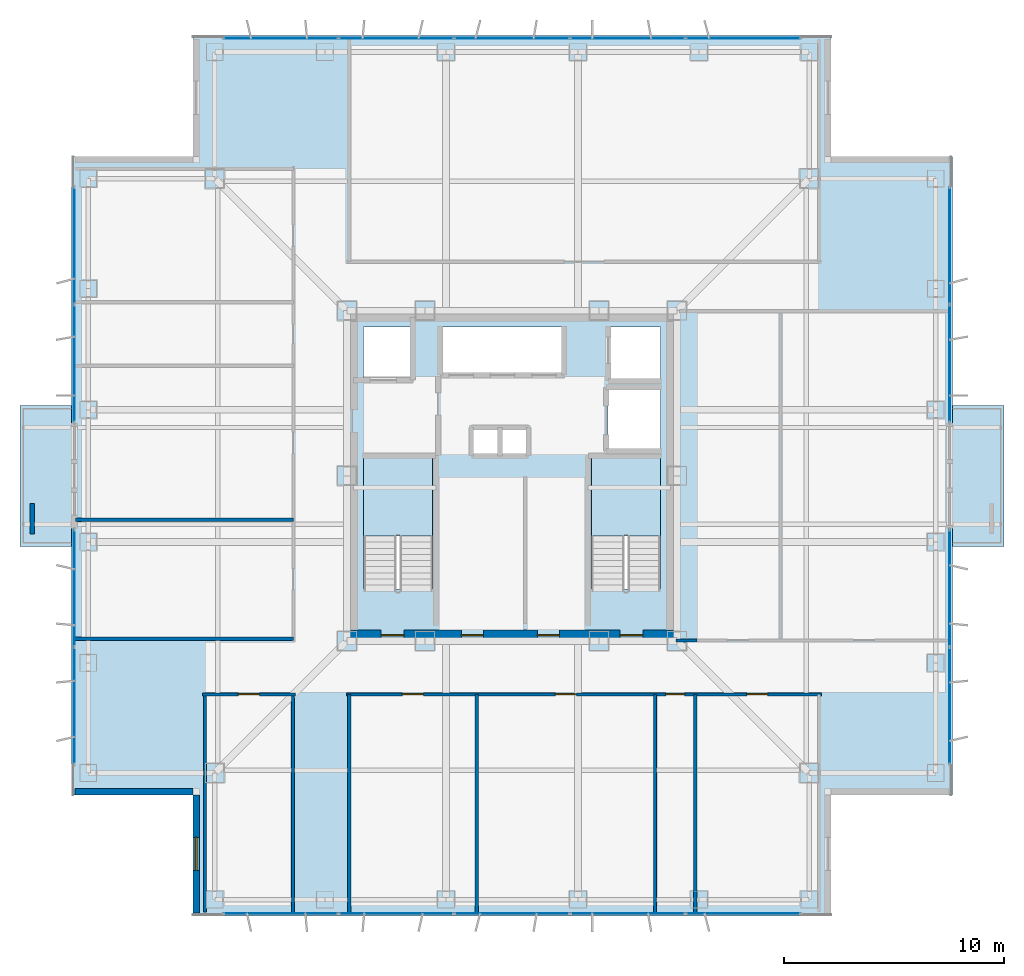
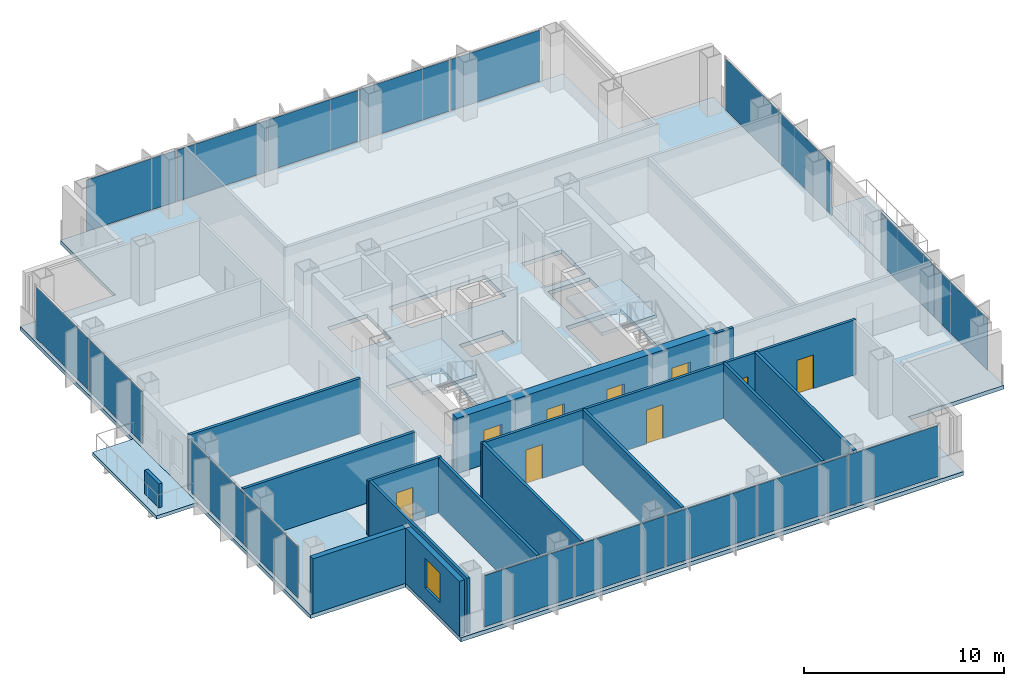
# One storey, part 10 of 15: 18 plates, 15 walls, 9 doors, 5 slabs, 1 window, 10 openings, 8 elements without a shape of their own.
"""IFC4 building model written with IfcOpenShell, lengths in metres."""

from ifc_helpers import new_model, si_unit, direction, frame, frame_2d, origin, origin_2d, place, context, subcontext, project, spatial, polyline, rectangle, outline, extrude, material, layer, layer_set, type_object, element, fill, aggregate, save


model = new_model("IFC4")

# Units and contexts
model_context = context("Model", 3, precision=1e-05, world=origin(), true_north=direction((0.0, 1.0)))
body_context = subcontext(model_context, "Body", "Model", "MODEL_VIEW")
ifc_project = project(units=[si_unit("LENGTHUNIT", "METRE"), si_unit("AREAUNIT", "SQUARE_METRE"), si_unit("VOLUMEUNIT", "CUBIC_METRE"), si_unit("PLANEANGLEUNIT", "RADIAN"), si_unit("MASSUNIT", "GRAM", prefix="KILO")], contexts=[model_context])

# Site, building, storey
site_placement = place(None, origin())
site = spatial("IfcSite", under=ifc_project, at=site_placement, CompositionType="ELEMENT")
building_placement = place(site_placement, origin())
building = spatial("IfcBuilding", under=site, at=building_placement, Name="Trevonay Congress Spire", CompositionType="ELEMENT")
storey_placement = place(building_placement, frame((0.0, 0.0, 216.60009765625)))
storey = spatial("IfcBuildingStorey", under=building, at=storey_placement, Name="L56", CompositionType="ELEMENT", Elevation=216.60009765625)

# Curtain wall, plates
ifc_material_1 = material(Name="Pale Anodised Aluminium EN AW-6063-T6", Category="aluminium")
ifc_layer_1 = layer(ifc_material_1, 0.169921875, Name="Pale Anodised Aluminium EN AW-6063-T6")
ifc_layer_set_1 = layer_set([ifc_layer_1], Name="Pale Anodised Aluminium EN AW-6063-T6")
curtain_wall_type = type_object("IfcCurtainWallType", Name="CW-SYS04-CORP-PALE-METAL", PredefinedType="NOTDEFINED", material=ifc_layer_set_1)
curtain_wall_1_placement = place(storey_placement, origin())
curtain_wall_1 = element("IfcCurtainWall", 1, at=curtain_wall_1_placement, inside=storey, type_object=curtain_wall_type, Name="L56 S unitised curtain wall", PredefinedType="NOTDEFINED")
ifc_material_2 = material(Name="Insulated Low-E Vision Glass IGU", Category="glass")
ifc_layer_2 = layer(ifc_material_2, 0.035888671875, Name="Insulated Low-E Vision Glass IGU")
ifc_layer_set_2 = layer_set([ifc_layer_2], Name="Insulated Low-E Vision Glass IGU")
plate_type = type_object("IfcPlateType", Name="CW-PANEL-IGU36-SILVER", PredefinedType="CURTAIN_PANEL", material=ifc_layer_set_2)
plate_1_placement = place(storey_placement, frame((-10.5048828125, -19.8798828125, 0.119873046875), z_axis=(0.0, 0.0, 1.0), x_axis=(1.0, 0.0, 0.0)))
plate_1 = element("IfcPlate", 2, at=plate_1_placement, type_object=plate_type, Name="CW04 panel 1.1", PredefinedType="CURTAIN_PANEL", context=body_context, shape_type="SweptSolid", body=[
    extrude(rectangle(XDim=5.169921875, YDim=0.035888671875, at=origin_2d()), origin(), (0.0, 0.0, 1.0), 3.1201171875),
])
plate_2_placement = place(storey_placement, frame((-5.260009765625, -19.8798828125, 0.119873046875), z_axis=(0.0, 0.0, 1.0), x_axis=(1.0, 0.0, 0.0)))
plate_2 = element("IfcPlate", 3, at=plate_2_placement, type_object=plate_type, Name="CW04 panel 2.1", PredefinedType="CURTAIN_PANEL", context=body_context, shape_type="SweptSolid", body=[
    extrude(rectangle(XDim=5.199951171875, YDim=0.035888671875, at=origin_2d()), origin(), (0.0, 0.0, 1.0), 3.1201171875),
])
plate_3_placement = place(storey_placement, frame((0.0, -19.8798828125, 0.119873046875), z_axis=(0.0, 0.0, 1.0), x_axis=(1.0, 0.0, 0.0)))
plate_3 = element("IfcPlate", 4, at=plate_3_placement, type_object=plate_type, Name="CW04 panel 3.1", PredefinedType="CURTAIN_PANEL", context=body_context, shape_type="SweptSolid", body=[
    extrude(rectangle(XDim=5.199951171875, YDim=0.035888671875, at=origin_2d()), origin(), (0.0, 0.0, 1.0), 3.1201171875),
])
plate_4_placement = place(storey_placement, frame((5.260009765625, -19.8798828125, 0.119873046875), z_axis=(0.0, 0.0, 1.0), x_axis=(1.0, 0.0, 0.0)))
plate_4 = element("IfcPlate", 5, at=plate_4_placement, type_object=plate_type, Name="CW04 panel 4.1", PredefinedType="CURTAIN_PANEL", context=body_context, shape_type="SweptSolid", body=[
    extrude(rectangle(XDim=5.199951171875, YDim=0.035888671875, at=origin_2d()), origin(), (0.0, 0.0, 1.0), 3.1201171875),
])
plate_5_placement = place(storey_placement, frame((10.5048828125, -19.8798828125, 0.119873046875), z_axis=(0.0, 0.0, 1.0), x_axis=(1.0, 0.0, 0.0)))
plate_5 = element("IfcPlate", 6, at=plate_5_placement, type_object=plate_type, Name="CW04 panel 5.1", PredefinedType="CURTAIN_PANEL", context=body_context, shape_type="SweptSolid", body=[
    extrude(rectangle(XDim=5.169921875, YDim=0.035888671875, at=origin_2d()), origin(), (0.0, 0.0, 1.0), 3.1201171875),
])
aggregate(curtain_wall_1, [plate_1, plate_2, plate_3, plate_4, plate_5])

curtain_wall_2_placement = place(storey_placement, origin())
curtain_wall_2 = element("IfcCurtainWall", 7, at=curtain_wall_2_placement, inside=storey, type_object=curtain_wall_type, Name="L56 N unitised curtain wall", PredefinedType="NOTDEFINED")
plate_6_placement = place(storey_placement, frame((-10.5048828125, 19.8798828125, 0.119873046875), z_axis=(0.0, 0.0, 1.0), x_axis=(1.0, 0.0, 0.0)))
plate_6 = element("IfcPlate", 8, at=plate_6_placement, type_object=plate_type, Name="CW04 panel 1.1", PredefinedType="CURTAIN_PANEL", context=body_context, shape_type="SweptSolid", body=[
    extrude(rectangle(XDim=5.169921875, YDim=0.035888671875, at=origin_2d()), origin(), (0.0, 0.0, 1.0), 3.1201171875),
])
plate_7_placement = place(storey_placement, frame((-5.260009765625, 19.8798828125, 0.119873046875), z_axis=(0.0, 0.0, 1.0), x_axis=(1.0, 0.0, 0.0)))
plate_7 = element("IfcPlate", 9, at=plate_7_placement, type_object=plate_type, Name="CW04 panel 2.1", PredefinedType="CURTAIN_PANEL", context=body_context, shape_type="SweptSolid", body=[
    extrude(rectangle(XDim=5.199951171875, YDim=0.035888671875, at=origin_2d()), origin(), (0.0, 0.0, 1.0), 3.1201171875),
])
plate_8_placement = place(storey_placement, frame((0.0, 19.8798828125, 0.119873046875), z_axis=(0.0, 0.0, 1.0), x_axis=(1.0, 0.0, 0.0)))
plate_8 = element("IfcPlate", 10, at=plate_8_placement, type_object=plate_type, Name="CW04 panel 3.1", PredefinedType="CURTAIN_PANEL", context=body_context, shape_type="SweptSolid", body=[
    extrude(rectangle(XDim=5.199951171875, YDim=0.035888671875, at=origin_2d()), origin(), (0.0, 0.0, 1.0), 3.1201171875),
])
plate_9_placement = place(storey_placement, frame((5.260009765625, 19.8798828125, 0.119873046875), z_axis=(0.0, 0.0, 1.0), x_axis=(1.0, 0.0, 0.0)))
plate_9 = element("IfcPlate", 11, at=plate_9_placement, type_object=plate_type, Name="CW04 panel 4.1", PredefinedType="CURTAIN_PANEL", context=body_context, shape_type="SweptSolid", body=[
    extrude(rectangle(XDim=5.199951171875, YDim=0.035888671875, at=origin_2d()), origin(), (0.0, 0.0, 1.0), 3.1201171875),
])
plate_10_placement = place(storey_placement, frame((10.5048828125, 19.8798828125, 0.119873046875), z_axis=(0.0, 0.0, 1.0), x_axis=(1.0, 0.0, 0.0)))
plate_10 = element("IfcPlate", 12, at=plate_10_placement, type_object=plate_type, Name="CW04 panel 5.1", PredefinedType="CURTAIN_PANEL", context=body_context, shape_type="SweptSolid", body=[
    extrude(rectangle(XDim=5.169921875, YDim=0.035888671875, at=origin_2d()), origin(), (0.0, 0.0, 1.0), 3.1201171875),
])
aggregate(curtain_wall_2, [plate_6, plate_7, plate_8, plate_9, plate_10])

curtain_wall_3_placement = place(storey_placement, origin())
curtain_wall_3 = element("IfcCurtainWall", 13, at=curtain_wall_3_placement, inside=storey, type_object=curtain_wall_type, Name="L56 WA unitised curtain wall", PredefinedType="NOTDEFINED")
plate_11_placement = place(storey_placement, frame((-19.8798828125, -10.447509765625, 0.119873046875), z_axis=(0.0, 0.0, 1.0), x_axis=(0.0, 1.0, 0.0)))
plate_11 = element("IfcPlate", 14, at=plate_11_placement, type_object=plate_type, Name="CW04 panel 1.1", PredefinedType="CURTAIN_PANEL", context=body_context, shape_type="SweptSolid", body=[
    extrude(rectangle(XDim=5.284912109375, YDim=0.035888671875, at=origin_2d()), origin(), (0.0, 0.0, 1.0), 3.1201171875),
])
plate_12_placement = place(storey_placement, frame((-19.8798828125, -5.1025390625, 0.119873046875), z_axis=(0.0, 0.0, 1.0), x_axis=(0.0, 1.0, 0.0)))
plate_12 = element("IfcPlate", 15, at=plate_12_placement, type_object=plate_type, Name="CW04 panel 2.1", PredefinedType="CURTAIN_PANEL", context=body_context, shape_type="SweptSolid", body=[
    extrude(rectangle(XDim=5.284912109375, YDim=0.035888671875, at=origin_2d()), origin(), (0.0, 0.0, 1.0), 3.1201171875),
])
aggregate(curtain_wall_3, [plate_11, plate_12])

curtain_wall_4_placement = place(storey_placement, origin())
curtain_wall_4 = element("IfcCurtainWall", 16, at=curtain_wall_4_placement, inside=storey, type_object=curtain_wall_type, Name="L56 WB unitised curtain wall", PredefinedType="NOTDEFINED")
plate_13_placement = place(storey_placement, frame((-19.8798828125, 5.1025390625, 0.119873046875), z_axis=(0.0, 0.0, 1.0), x_axis=(0.0, 1.0, 0.0)))
plate_13 = element("IfcPlate", 17, at=plate_13_placement, type_object=plate_type, Name="CW04 panel 1.1", PredefinedType="CURTAIN_PANEL", context=body_context, shape_type="SweptSolid", body=[
    extrude(rectangle(XDim=5.284912109375, YDim=0.035888671875, at=origin_2d()), origin(), (0.0, 0.0, 1.0), 3.1201171875),
])
plate_14_placement = place(storey_placement, frame((-19.8798828125, 10.447509765625, 0.119873046875), z_axis=(0.0, 0.0, 1.0), x_axis=(0.0, 1.0, 0.0)))
plate_14 = element("IfcPlate", 18, at=plate_14_placement, type_object=plate_type, Name="CW04 panel 2.1", PredefinedType="CURTAIN_PANEL", context=body_context, shape_type="SweptSolid", body=[
    extrude(rectangle(XDim=5.284912109375, YDim=0.035888671875, at=origin_2d()), origin(), (0.0, 0.0, 1.0), 3.1201171875),
])
aggregate(curtain_wall_4, [plate_13, plate_14])

curtain_wall_5_placement = place(storey_placement, origin())
curtain_wall_5 = element("IfcCurtainWall", 19, at=curtain_wall_5_placement, inside=storey, type_object=curtain_wall_type, Name="L56 EA unitised curtain wall", PredefinedType="NOTDEFINED")
plate_15_placement = place(storey_placement, frame((19.8798828125, -10.447509765625, 0.119873046875), z_axis=(0.0, 0.0, 1.0), x_axis=(0.0, 1.0, 0.0)))
plate_15 = element("IfcPlate", 20, at=plate_15_placement, type_object=plate_type, Name="CW04 panel 1.1", PredefinedType="CURTAIN_PANEL", context=body_context, shape_type="SweptSolid", body=[
    extrude(rectangle(XDim=5.284912109375, YDim=0.035888671875, at=origin_2d()), origin(), (0.0, 0.0, 1.0), 3.1201171875),
])
plate_16_placement = place(storey_placement, frame((19.8798828125, -5.1025390625, 0.119873046875), z_axis=(0.0, 0.0, 1.0), x_axis=(0.0, 1.0, 0.0)))
plate_16 = element("IfcPlate", 21, at=plate_16_placement, type_object=plate_type, Name="CW04 panel 2.1", PredefinedType="CURTAIN_PANEL", context=body_context, shape_type="SweptSolid", body=[
    extrude(rectangle(XDim=5.284912109375, YDim=0.035888671875, at=origin_2d()), origin(), (0.0, 0.0, 1.0), 3.1201171875),
])
aggregate(curtain_wall_5, [plate_15, plate_16])

curtain_wall_6_placement = place(storey_placement, origin())
curtain_wall_6 = element("IfcCurtainWall", 22, at=curtain_wall_6_placement, inside=storey, type_object=curtain_wall_type, Name="L56 EB unitised curtain wall", PredefinedType="NOTDEFINED")
plate_17_placement = place(storey_placement, frame((19.8798828125, 5.1025390625, 0.119873046875), z_axis=(0.0, 0.0, 1.0), x_axis=(0.0, 1.0, 0.0)))
plate_17 = element("IfcPlate", 23, at=plate_17_placement, type_object=plate_type, Name="CW04 panel 1.1", PredefinedType="CURTAIN_PANEL", context=body_context, shape_type="SweptSolid", body=[
    extrude(rectangle(XDim=5.284912109375, YDim=0.035888671875, at=origin_2d()), origin(), (0.0, 0.0, 1.0), 3.1201171875),
])
plate_18_placement = place(storey_placement, frame((19.8798828125, 10.447509765625, 0.119873046875), z_axis=(0.0, 0.0, 1.0), x_axis=(0.0, 1.0, 0.0)))
plate_18 = element("IfcPlate", 24, at=plate_18_placement, type_object=plate_type, Name="CW04 panel 2.1", PredefinedType="CURTAIN_PANEL", context=body_context, shape_type="SweptSolid", body=[
    extrude(rectangle(XDim=5.284912109375, YDim=0.035888671875, at=origin_2d()), origin(), (0.0, 0.0, 1.0), 3.1201171875),
])
aggregate(curtain_wall_6, [plate_17, plate_18])

# Stair, slab
ifc_material_3 = material(Name="Concrete C40/50", Category="concrete")
stair_type_1 = type_object("IfcStairType", Name="STR-ST-1", PredefinedType="HALF_TURN_STAIR", material=ifc_material_3)
stair_1_placement = place(storey_placement, origin())
stair_1 = element("IfcStair", 25, at=stair_1_placement, inside=storey, type_object=stair_type_1, Name="L56 Protected Exit Stair ST-1", PredefinedType="HALF_TURN_STAIR")
ifc_layer_3 = layer(ifc_material_3, 0.199951171875, Name="Concrete C40/50")
ifc_layer_set_3 = layer_set([ifc_layer_3], Name="Concrete C40/50")
slab_type_1 = type_object("IfcSlabType", Name="SLB-STAIR-LAND-200", PredefinedType="LANDING", material=ifc_layer_set_3)
slab_1_placement = place(storey_placement, frame((0.0, 0.0, 1.599853515625)))
slab_1 = element("IfcSlab", 26, at=slab_1_placement, type_object=slab_type_1, Name="ST-1 landing 1", PredefinedType="LANDING", context=body_context, shape_type="SweptSolid", body=[
    extrude(outline(polyline([(-3.60009765625, -2.72998046875), (-3.60009765625, 0.85009765625), (-6.75, 0.85009765625), (-6.75, -2.72998046875), (-3.60009765625, -2.72998046875)])), origin(), (0.0, 0.0, 1.0), 0.199951171875),
])
aggregate(stair_1, [slab_1])

stair_type_2 = type_object("IfcStairType", Name="STR-ST-2", PredefinedType="HALF_TURN_STAIR", material=ifc_material_3)
stair_2_placement = place(storey_placement, origin())
stair_2 = element("IfcStair", 27, at=stair_2_placement, inside=storey, type_object=stair_type_2, Name="L56 Protected Exit Stair ST-2", PredefinedType="HALF_TURN_STAIR")
slab_2_placement = place(storey_placement, frame((0.0, 0.0, 1.599853515625)))
slab_2 = element("IfcSlab", 28, at=slab_2_placement, type_object=slab_type_1, Name="ST-2 landing 1", PredefinedType="LANDING", context=body_context, shape_type="SweptSolid", body=[
    extrude(outline(polyline([(6.75, -2.72998046875), (6.75, 0.85009765625), (3.60009765625, 0.85009765625), (3.60009765625, -2.72998046875), (6.75, -2.72998046875)])), origin(), (0.0, 0.0, 1.0), 0.199951171875),
])
aggregate(stair_2, [slab_2])

# Slabs
ifc_layer_4 = layer(ifc_material_3, 0.239990234375, Name="Concrete C40/50")
ifc_layer_set_4 = layer_set([ifc_layer_4], Name="Concrete C40/50")
slab_type_2 = type_object("IfcSlabType", Name="SLB-TOW2-240", PredefinedType="FLOOR", material=ifc_layer_set_4)
slab_3_placement = place(storey_placement, frame((0.0, 0.0, -0.239990234375)))
element("IfcSlab", 29, at=slab_3_placement, inside=storey, type_object=slab_type_2, Name="L56 structural floor slab", PredefinedType="FLOOR", context=body_context, shape_type="SweptSolid", body=[
    extrude(outline(polyline([(-14.5, -20.0), (14.5, -20.0), (14.5, -14.5), (20.0, -14.5), (20.0, 14.5), (14.5, 14.5), (14.5, 20.0), (-14.5, 20.0), (-14.5, 14.5), (-20.0, 14.5), (-20.0, -14.5), (-14.5, -14.5), (-14.5, -20.0)]), holes=[polyline([(-3.60009765625, -5.14990234375), (-3.60009765625, 0.85009765625), (-6.75, 0.85009765625), (-6.75, -5.14990234375), (-3.60009765625, -5.14990234375)]), polyline([(6.75, -5.14990234375), (6.75, 0.85009765625), (3.60009765625, 0.85009765625), (3.60009765625, -5.14990234375), (6.75, -5.14990234375)]), polyline([(-3.199951171875, 4.64990234375), (2.340087890625, 4.64990234375), (2.340087890625, 6.75), (-3.199951171875, 6.75), (-3.199951171875, 4.64990234375)]), polyline([(-6.75, 4.35009765625), (-4.449951171875, 4.35009765625), (-4.449951171875, 6.75), (-6.75, 6.75), (-6.75, 4.35009765625)]), polyline([(4.449951171875, 4.35009765625), (6.75, 4.35009765625), (6.75, 6.75), (4.449951171875, 6.75), (4.449951171875, 4.35009765625)]), polyline([(4.35009765625, 1.199951171875), (6.75, 1.199951171875), (6.75, 3.949951171875), (4.35009765625, 3.949951171875), (4.35009765625, 1.199951171875)]), polyline([(-1.800048828125, 0.949951171875), (0.699951171875, 0.949951171875), (0.699951171875, 2.14990234375), (-1.800048828125, 2.14990234375), (-1.800048828125, 0.949951171875)])]), origin(), (0.0, 0.0, 1.0), 0.239990234375),
])
ifc_layer_5 = layer(ifc_material_3, 0.2099609375, Name="Concrete C40/50")
ifc_layer_set_5 = layer_set([ifc_layer_5], Name="Concrete C40/50")
slab_type_3 = type_object("IfcSlabType", Name="SLB-TREEBAL-210", PredefinedType="FLOOR", material=ifc_layer_set_5)
slab_4_placement = place(storey_placement, frame((0.0, 0.0, -0.210205078125)))
element("IfcSlab", 30, at=slab_4_placement, inside=storey, type_object=slab_type_3, Name="L56 cantilevered tree-planter balcony pod E", PredefinedType="FLOOR", context=body_context, shape_type="SweptSolid", body=[
    extrude(outline(polyline([(20.0, -3.199951171875), (22.35009765625, -3.199951171875), (22.35009765625, 3.199951171875), (20.0, 3.199951171875), (20.0, -3.199951171875)])), origin(), (0.0, 0.0, 1.0), 0.210205078125),
])
slab_5_placement = place(storey_placement, frame((0.0, 0.0, -0.210205078125)))
element("IfcSlab", 31, at=slab_5_placement, inside=storey, type_object=slab_type_3, Name="L56 cantilevered tree-planter balcony pod W", PredefinedType="FLOOR", context=body_context, shape_type="SweptSolid", body=[
    extrude(outline(polyline([(-22.35009765625, -3.199951171875), (-20.0, -3.199951171875), (-20.0, 3.199951171875), (-22.35009765625, 3.199951171875), (-22.35009765625, -3.199951171875)])), origin(), (0.0, 0.0, 1.0), 0.210205078125),
])

# Wall, openings, doors
ifc_material_4 = material(Name="Concrete C50/60", Category="concrete")
ifc_layer_6 = layer(ifc_material_4, 0.5, Name="Concrete C50/60")
ifc_layer_set_6 = layer_set([ifc_layer_6], Name="Concrete C50/60")
wall_type_1 = type_object("IfcWallType", Name="WAL-CORE-500", PredefinedType="SHEAR", material=ifc_layer_set_6)
wall_1_placement = place(storey_placement, frame((-7.5, -7.25, 0.0), z_axis=(0.0, 0.0, 1.0), x_axis=(1.0, 0.0, 0.0)))
wall_1 = element("IfcWall", 32, at=wall_1_placement, inside=storey, type_object=wall_type_1, Name="L56 South structural core shear wall", PredefinedType="SHEAR", context=body_context, shape_type="SweptSolid", body=[
    extrude(rectangle(XDim=15.0, YDim=0.5, at=frame_2d((7.5, 0.0))), origin(), (0.0, 0.0, 1.0), 3.35986328125),
])
opening_1_placement = place(wall_1_placement, frame((1.550048828125, 0.0, 0.0)))
opening_1 = element("IfcOpeningElement", 33, at=opening_1_placement, cuts=wall_1, Name="Opening D05", PredefinedType="OPENING", context=body_context, shape_type="SweptSolid", body=[
    extrude(rectangle(XDim=1.050048828125, YDim=2.080078125, at=frame_2d((0.52490234375, 1.0400390625))), frame((0.0, 0.260009765625, 0.0), z_axis=(0.0, -1.0, 0.0), x_axis=(1.0, 0.0, 0.0)), (0.0, 0.0, 1.0), 0.52001953125),
])
opening_2_placement = place(wall_1_placement, frame((12.39990234375, 0.0, 0.0)))
opening_2 = element("IfcOpeningElement", 34, at=opening_2_placement, cuts=wall_1, Name="Opening D05", PredefinedType="OPENING", context=body_context, shape_type="SweptSolid", body=[
    extrude(rectangle(XDim=1.050048828125, YDim=2.080078125, at=frame_2d((0.52490234375, 1.0400390625))), frame((0.0, 0.260009765625, 0.0), z_axis=(0.0, -1.0, 0.0), x_axis=(1.0, 0.0, 0.0)), (0.0, 0.0, 1.0), 0.52001953125),
])
opening_3_placement = place(wall_1_placement, frame((5.199951171875, 0.0, 0.0)))
opening_3 = element("IfcOpeningElement", 35, at=opening_3_placement, cuts=wall_1, Name="Opening D06", PredefinedType="OPENING", context=body_context, shape_type="SweptSolid", body=[
    extrude(rectangle(XDim=1.0, YDim=2.080078125, at=frame_2d((0.5, 1.0400390625))), frame((0.0, 0.260009765625, 0.0), z_axis=(0.0, -1.0, 0.0), x_axis=(1.0, 0.0, 0.0)), (0.0, 0.0, 1.0), 0.52001953125),
])
opening_4_placement = place(wall_1_placement, frame((8.64990234375, 0.0, 0.0)))
opening_4 = element("IfcOpeningElement", 36, at=opening_4_placement, cuts=wall_1, Name="Opening D06", PredefinedType="OPENING", context=body_context, shape_type="SweptSolid", body=[
    extrude(rectangle(XDim=1.0, YDim=2.080078125, at=frame_2d((0.5, 1.0400390625))), frame((0.0, 0.260009765625, 0.0), z_axis=(0.0, -1.0, 0.0), x_axis=(1.0, 0.0, 0.0)), (0.0, 0.0, 1.0), 0.52001953125),
])
ifc_material_5 = material(Name="Steel ASTM A572 Grade 50", Category="steel")
door_type_1 = type_object("IfcDoorType", Name="DOR-FIRE-100", OperationType="NOTDEFINED", PredefinedType="DOOR", material=ifc_material_5)
door_1_placement = place(opening_3_placement, origin())
door_1 = element("IfcDoor", 37, at=door_1_placement, inside=storey, type_object=door_type_1, Name="L56 South Core Room 1 Door", OperationType="SINGLE_SWING_LEFT", OverallHeight=2.080078125, OverallWidth=1.0, PredefinedType="DOOR", context=body_context, shape_type="SweptSolid", body=[
    extrude(rectangle(XDim=1.0, YDim=2.080078125, at=frame_2d((0.5, 1.0400390625))), frame((0.0, 0.02490234375, 0.0), z_axis=(0.0, -1.0, 0.0), x_axis=(1.0, 0.0, 0.0)), (0.0, 0.0, 1.0), 0.050048828125),
])
fill(opening_3, door_1)
door_2_placement = place(opening_4_placement, origin())
door_2 = element("IfcDoor", 38, at=door_2_placement, inside=storey, type_object=door_type_1, Name="L56 South Core Room 2 Door", OperationType="SINGLE_SWING_RIGHT", OverallHeight=2.080078125, OverallWidth=1.0, PredefinedType="DOOR", context=body_context, shape_type="SweptSolid", body=[
    extrude(rectangle(XDim=1.0, YDim=2.080078125, at=frame_2d((0.5, 1.0400390625))), frame((0.0, 0.02490234375, 0.0), z_axis=(0.0, -1.0, 0.0), x_axis=(1.0, 0.0, 0.0)), (0.0, 0.0, 1.0), 0.050048828125),
])
fill(opening_4, door_2)
door_type_2 = type_object("IfcDoorType", Name="DOR-STAIR-110", OperationType="NOTDEFINED", PredefinedType="DOOR", material=ifc_material_5)
door_3_placement = place(opening_1_placement, origin())
door_3 = element("IfcDoor", 39, at=door_3_placement, inside=storey, type_object=door_type_2, Name="L56 Protected Stair ST-1 Door", OperationType="SINGLE_SWING_RIGHT", OverallHeight=2.080078125, OverallWidth=1.050048828125, PredefinedType="DOOR", context=body_context, shape_type="SweptSolid", body=[
    extrude(rectangle(XDim=1.050048828125, YDim=2.080078125, at=frame_2d((0.52490234375, 1.0400390625))), frame((0.0, 0.02490234375, 0.0), z_axis=(0.0, -1.0, 0.0), x_axis=(1.0, 0.0, 0.0)), (0.0, 0.0, 1.0), 0.050048828125),
])
fill(opening_1, door_3)
door_4_placement = place(opening_2_placement, origin())
door_4 = element("IfcDoor", 40, at=door_4_placement, inside=storey, type_object=door_type_2, Name="L56 Protected Stair ST-2 Door", OperationType="SINGLE_SWING_LEFT", OverallHeight=2.080078125, OverallWidth=1.050048828125, PredefinedType="DOOR", context=body_context, shape_type="SweptSolid", body=[
    extrude(rectangle(XDim=1.050048828125, YDim=2.080078125, at=frame_2d((0.52490234375, 1.0400390625))), frame((0.0, 0.02490234375, 0.0), z_axis=(0.0, -1.0, 0.0), x_axis=(1.0, 0.0, 0.0)), (0.0, 0.0, 1.0), 0.050048828125),
])
fill(opening_2, door_4)

# Wall, opening, door
ifc_layer_7 = layer(ifc_material_3, 0.14990234375, Name="Concrete C40/50")
ifc_layer_set_7 = layer_set([ifc_layer_7], Name="Concrete C40/50")
wall_type_2 = type_object("IfcWallType", Name="WAL-CORR-150", PredefinedType="PARTITIONING", material=ifc_layer_set_7)
wall_2_placement = place(storey_placement, frame((-14.070068359375, -9.929931640625, 0.0), z_axis=(0.0, 0.0, 1.0), x_axis=(1.0, 0.0, 0.0)))
wall_2 = element("IfcWall", 41, at=wall_2_placement, inside=storey, type_object=wall_type_2, Name="L56 interior wall WP-L56SW-COR", PredefinedType="PARTITIONING", context=body_context, shape_type="SweptSolid", body=[
    extrude(rectangle(XDim=4.239990234375, YDim=0.14990234375, at=frame_2d((2.1201171875, 0.0))), origin(), (0.0, 0.0, 1.0), 3.35986328125),
])
opening_5_placement = place(wall_2_placement, frame((1.64501953125, 0.0, 0.0)))
opening_5 = element("IfcOpeningElement", 42, at=opening_5_placement, cuts=wall_2, Name="Opening D07", PredefinedType="OPENING", context=body_context, shape_type="SweptSolid", body=[
    extrude(rectangle(XDim=0.949951171875, YDim=2.06005859375, at=frame_2d((0.47509765625, 1.030029296875))), frame((0.0, 0.0849609375, 0.0), z_axis=(0.0, -1.0, 0.0), x_axis=(1.0, 0.0, 0.0)), (0.0, 0.0, 1.0), 0.169921875),
])
door_type_3 = type_object("IfcDoorType", Name="DOR-OFFICE-95", OperationType="NOTDEFINED", PredefinedType="DOOR", material=ifc_material_1)
door_5_placement = place(opening_5_placement, origin())
door_5 = element("IfcDoor", 43, at=door_5_placement, inside=storey, type_object=door_type_3, Name="L56 Chief Risk Officer Office Door", OperationType="SINGLE_SWING_RIGHT", OverallHeight=2.06005859375, OverallWidth=0.949951171875, PredefinedType="DOOR", context=body_context, shape_type="SweptSolid", body=[
    extrude(rectangle(XDim=0.949951171875, YDim=2.06005859375, at=frame_2d((0.47509765625, 1.030029296875))), frame((0.0, 0.02490234375, 0.0), z_axis=(0.0, -1.0, 0.0), x_axis=(1.0, 0.0, 0.0)), (0.0, 0.0, 1.0), 0.050048828125),
])
fill(opening_5, door_5)

# Wall, openings, doors
wall_3_placement = place(storey_placement, frame((-7.52001953125, -9.929931640625, 0.0), z_axis=(0.0, 0.0, 1.0), x_axis=(1.0, 0.0, 0.0)))
wall_3 = element("IfcWall", 44, at=wall_3_placement, inside=storey, type_object=wall_type_2, Name="L56 interior wall WP-L56SE-COR", PredefinedType="PARTITIONING", context=body_context, shape_type="SweptSolid", body=[
    extrude(rectangle(XDim=21.590087890625, YDim=0.14990234375, at=frame_2d((10.794921875, 0.0))), origin(), (0.0, 0.0, 1.0), 3.35986328125),
])
opening_6_placement = place(wall_3_placement, frame((2.544921875, 0.0, 0.0)))
opening_6 = element("IfcOpeningElement", 45, at=opening_6_placement, cuts=wall_3, Name="Opening D07", PredefinedType="OPENING", context=body_context, shape_type="SweptSolid", body=[
    extrude(rectangle(XDim=0.949951171875, YDim=2.06005859375, at=frame_2d((0.47509765625, 1.030029296875))), frame((0.0, 0.0849609375, 0.0), z_axis=(0.0, -1.0, 0.0), x_axis=(1.0, 0.0, 0.0)), (0.0, 0.0, 1.0), 0.169921875),
])
opening_7_placement = place(wall_3_placement, frame((9.4951171875, 0.0, 0.0)))
opening_7 = element("IfcOpeningElement", 46, at=opening_7_placement, cuts=wall_3, Name="Opening D07", PredefinedType="OPENING", context=body_context, shape_type="SweptSolid", body=[
    extrude(rectangle(XDim=0.949951171875, YDim=2.06005859375, at=frame_2d((0.47509765625, 1.030029296875))), frame((0.0, 0.0849609375, 0.0), z_axis=(0.0, -1.0, 0.0), x_axis=(1.0, 0.0, 0.0)), (0.0, 0.0, 1.0), 0.169921875),
])
opening_8_placement = place(wall_3_placement, frame((14.510009765625, 0.0, 0.0)))
opening_8 = element("IfcOpeningElement", 47, at=opening_8_placement, cuts=wall_3, Name="Opening D10", PredefinedType="OPENING", context=body_context, shape_type="SweptSolid", body=[
    extrude(rectangle(XDim=0.85009765625, YDim=2.050048828125, at=frame_2d((0.425048828125, 1.02490234375))), frame((0.0, 0.0849609375, 0.0), z_axis=(0.0, -1.0, 0.0), x_axis=(1.0, 0.0, 0.0)), (0.0, 0.0, 1.0), 0.169921875),
])
opening_9_placement = place(wall_3_placement, frame((18.18505859375, 0.0, 0.0)))
opening_9 = element("IfcOpeningElement", 48, at=opening_9_placement, cuts=wall_3, Name="Opening D07", PredefinedType="OPENING", context=body_context, shape_type="SweptSolid", body=[
    extrude(rectangle(XDim=0.949951171875, YDim=2.06005859375, at=frame_2d((0.47509765625, 1.030029296875))), frame((0.0, 0.0849609375, 0.0), z_axis=(0.0, -1.0, 0.0), x_axis=(1.0, 0.0, 0.0)), (0.0, 0.0, 1.0), 0.169921875),
])
door_6_placement = place(opening_6_placement, origin())
door_6 = element("IfcDoor", 49, at=door_6_placement, inside=storey, type_object=door_type_3, Name="L56 Fixed-Income Quant Office Door", OperationType="SINGLE_SWING_LEFT", OverallHeight=2.06005859375, OverallWidth=0.949951171875, PredefinedType="DOOR", context=body_context, shape_type="SweptSolid", body=[
    extrude(rectangle(XDim=0.949951171875, YDim=2.06005859375, at=frame_2d((0.47509765625, 1.030029296875))), frame((0.0, 0.02490234375, 0.0), z_axis=(0.0, -1.0, 0.0), x_axis=(1.0, 0.0, 0.0)), (0.0, 0.0, 1.0), 0.050048828125),
])
fill(opening_6, door_6)
door_7_placement = place(opening_7_placement, origin())
door_7 = element("IfcDoor", 50, at=door_7_placement, inside=storey, type_object=door_type_3, Name="L56 Commodities Desk Office Door", OperationType="SINGLE_SWING_RIGHT", OverallHeight=2.06005859375, OverallWidth=0.949951171875, PredefinedType="DOOR", context=body_context, shape_type="SweptSolid", body=[
    extrude(rectangle(XDim=0.949951171875, YDim=2.06005859375, at=frame_2d((0.47509765625, 1.030029296875))), frame((0.0, 0.02490234375, 0.0), z_axis=(0.0, -1.0, 0.0), x_axis=(1.0, 0.0, 0.0)), (0.0, 0.0, 1.0), 0.050048828125),
])
fill(opening_7, door_7)
door_8_placement = place(opening_9_placement, origin())
door_8 = element("IfcDoor", 51, at=door_8_placement, inside=storey, type_object=door_type_3, Name="L56 Floor Supplies and Copy Room Door", OperationType="SINGLE_SWING_RIGHT", OverallHeight=2.06005859375, OverallWidth=0.949951171875, PredefinedType="DOOR", context=body_context, shape_type="SweptSolid", body=[
    extrude(rectangle(XDim=0.949951171875, YDim=2.06005859375, at=frame_2d((0.47509765625, 1.030029296875))), frame((0.0, 0.02490234375, 0.0), z_axis=(0.0, -1.0, 0.0), x_axis=(1.0, 0.0, 0.0)), (0.0, 0.0, 1.0), 0.050048828125),
])
fill(opening_9, door_8)
door_type_4 = type_object("IfcDoorType", Name="DOR-WC-85", OperationType="NOTDEFINED", PredefinedType="DOOR", material=ifc_material_1)
door_9_placement = place(opening_8_placement, origin())
door_9 = element("IfcDoor", 52, at=door_9_placement, inside=storey, type_object=door_type_4, Name="L56 Accessible WC Door", OperationType="SINGLE_SWING_LEFT", OverallHeight=2.050048828125, OverallWidth=0.85009765625, PredefinedType="DOOR", context=body_context, shape_type="SweptSolid", body=[
    extrude(rectangle(XDim=0.85009765625, YDim=2.050048828125, at=frame_2d((0.425048828125, 1.02490234375))), frame((0.0, 0.02490234375, 0.0), z_axis=(0.0, -1.0, 0.0), x_axis=(1.0, 0.0, 0.0)), (0.0, 0.0, 1.0), 0.050048828125),
])
fill(opening_8, door_9)

# Wall
wall_4_placement = place(storey_placement, frame((7.449951171875, -7.47998046875, 0.0), z_axis=(0.0, 0.0, 1.0), x_axis=(1.0, 0.0, 0.0)))
element("IfcWall", 53, at=wall_4_placement, inside=storey, type_object=wall_type_2, Name="L56 interior wall WP-L56E-STUB", PredefinedType="PARTITIONING", context=body_context, shape_type="SweptSolid", body=[
    extrude(rectangle(XDim=0.949951171875, YDim=0.14990234375, at=frame_2d((0.47509765625, 0.0))), origin(), (0.0, 0.0, 1.0), 3.35986328125),
])

# Wall, opening, window
ifc_material_6 = material(Name="Precast concrete C40/50", Category="concrete")
ifc_layer_8 = layer(ifc_material_6, 0.300048828125, Name="Precast concrete C40/50")
ifc_layer_set_8 = layer_set([ifc_layer_8], Name="Precast concrete C40/50")
wall_type_3 = type_object("IfcWallType", Name="WAL-EXT-PRECAST-300", PredefinedType="SOLIDWALL", material=ifc_layer_set_8)
wall_5_placement = place(storey_placement, frame((-14.35009765625, -19.85009765625, 0.0), z_axis=(0.0, 0.0, 1.0), x_axis=(0.0, 1.0, 0.0)))
wall_5 = element("IfcWall", 54, at=wall_5_placement, inside=storey, type_object=wall_type_3, Name="L56 SW re-entrant notch exterior wall 1", PredefinedType="SOLIDWALL", context=body_context, shape_type="SweptSolid", body=[
    extrude(rectangle(XDim=5.35009765625, YDim=0.300048828125, at=frame_2d((2.675048828125, 0.0))), origin(), (0.0, 0.0, 1.0), 3.35986328125),
])
opening_10_placement = place(wall_5_placement, frame((1.925048828125, 0.0, 0.89990234375)))
opening_10 = element("IfcOpeningElement", 55, at=opening_10_placement, cuts=wall_5, Name="Opening WN03", PredefinedType="OPENING", context=body_context, shape_type="SweptSolid", body=[
    extrude(rectangle(XDim=1.5, YDim=1.800048828125, at=frame_2d((0.75, 0.89990234375))), frame((0.0, 0.16015625, 0.0), z_axis=(0.0, -1.0, 0.0), x_axis=(1.0, 0.0, 0.0)), (0.0, 0.0, 1.0), 0.320068359375),
])
window_type = type_object("IfcWindowType", Name="WIN-NOTCH-150X180", PartitioningType="SINGLE_PANEL", PredefinedType="WINDOW", material=ifc_material_2)
window_placement = place(opening_10_placement, origin())
window = element("IfcWindow", 56, at=window_placement, inside=storey, type_object=window_type, Name="L56 SW corner notch window", OverallHeight=1.800048828125, OverallWidth=1.5, PartitioningType="SINGLE_PANEL", PredefinedType="WINDOW", context=body_context, shape_type="SweptSolid", body=[
    extrude(rectangle(XDim=1.5, YDim=1.800048828125, at=frame_2d((0.75, 0.89990234375))), frame((0.0, 0.030029296875, 0.0), z_axis=(0.0, -1.0, 0.0), x_axis=(1.0, 0.0, 0.0)), (0.0, 0.0, 1.0), 0.06005859375),
])
fill(opening_10, window)

# Walls
wall_6_placement = place(storey_placement, frame((-19.85009765625, -14.35009765625, 0.0), z_axis=(0.0, 0.0, 1.0), x_axis=(1.0, 0.0, 0.0)))
element("IfcWall", 57, at=wall_6_placement, inside=storey, type_object=wall_type_3, Name="L56 SW re-entrant notch exterior wall 2", PredefinedType="SOLIDWALL", context=body_context, shape_type="SweptSolid", body=[
    extrude(rectangle(XDim=5.35009765625, YDim=0.300048828125, at=frame_2d((2.675048828125, 0.0))), origin(), (0.0, 0.0, 1.0), 3.35986328125),
])
ifc_layer_9 = layer(ifc_material_3, 0.14990234375, Name="Concrete C40/50")
ifc_layer_set_9 = layer_set([ifc_layer_9], Name="Concrete C40/50")
wall_type_4 = type_object("IfcWallType", Name="WAL-PART-150", PredefinedType="PARTITIONING", material=ifc_layer_set_9)
for number, where, z_axis, x_axis, name in (
    (58, (-13.949951171875, -19.820068359375, 0.0), (0.0, 0.0, 1.0), (0.0, 1.0, 0.0), "L56 interior wall WP-L56SW-DIV1"),
    (59, (-9.949951171875, -19.820068359375, 0.0), (0.0, 0.0, 1.0), (0.0, 1.0, 0.0), "L56 interior wall WP-L56SW-DIV2"),
    (60, (6.5, -19.820068359375, 0.0), (0.0, 0.0, 1.0), (0.0, 1.0, 0.0), "L56 interior wall WP-L56SE-DIV3"),
):
    element("IfcWall", number, at=place(storey_placement, frame(where, z_axis=z_axis, x_axis=x_axis)), inside=storey, type_object=wall_type_4, Name=name, PredefinedType="PARTITIONING", context=body_context, shape_type="SweptSolid", body=[
        extrude(rectangle(XDim=9.89013671875, YDim=0.14990234375, at=frame_2d((4.945068359375, 0.0))), origin(), (0.0, 0.0, 1.0), 3.35986328125),
    ])
ifc_layer_10 = layer(ifc_material_6, 0.199951171875, Name="Precast concrete C40/50")
ifc_layer_set_10 = layer_set([ifc_layer_10], Name="Precast concrete C40/50")
wall_type_5 = type_object("IfcWallType", Name="WAL-TREE-PLANTER-200", PredefinedType="PARAPET", material=ifc_layer_set_10)
wall_7_placement = place(storey_placement, frame((-21.800048828125, -2.64990234375, 0.0), z_axis=(0.0, 0.0, 1.0), x_axis=(0.0, 1.0, 0.0)))
element("IfcWall", 61, at=wall_7_placement, inside=storey, type_object=wall_type_5, Name="L56 W cantilevered balcony tree planter box", PredefinedType="PARAPET", context=body_context, shape_type="SweptSolid", body=[
    extrude(rectangle(XDim=1.39990234375, YDim=0.199951171875, at=frame_2d((0.699951171875, 0.0))), origin(), (0.0, 0.0, 1.0), 1.449951171875),
])
ifc_layer_11 = layer(ifc_material_3, 0.1650390625, Name="Concrete C40/50")
ifc_layer_set_11 = layer_set([ifc_layer_11], Name="Concrete C40/50")
wall_type_6 = type_object("IfcWallType", Name="WAL-WET-165", PredefinedType="PLUMBINGWALL", material=ifc_layer_set_11)
for number, where, z_axis, x_axis, name in (
    (62, (8.330078125, -19.820068359375, 0.0), (0.0, 0.0, 1.0), (0.0, 1.0, 0.0), "L56 interior wall WP-L56SE-WCS3"),
    (63, (-7.39990234375, -19.820068359375, 0.0), (0.0, 0.0, 1.0), (0.0, 1.0, 0.0), "L56 interior wall WP-L56SE-DIV1"),
    (64, (-1.60009765625, -19.820068359375, 0.0), (0.0, 0.0, 1.0), (0.0, 1.0, 0.0), "L56 interior wall WP-L56SE-DIV2"),
    (65, (-19.820068359375, -7.39990234375, 0.0), (0.0, 0.0, 1.0), (1.0, 0.0, 0.0), "L56 interior wall WP-L56NW-DIV1"),
    (66, (-19.820068359375, -2.0, 0.0), (0.0, 0.0, 1.0), (1.0, 0.0, 0.0), "L56 interior wall WP-L56NW-DIV2"),
):
    element("IfcWall", number, at=place(storey_placement, frame(where, z_axis=z_axis, x_axis=x_axis)), inside=storey, type_object=wall_type_6, Name=name, PredefinedType="PLUMBINGWALL", context=body_context, shape_type="SweptSolid", body=[
        extrude(rectangle(XDim=9.89013671875, YDim=0.1650390625, at=frame_2d((4.945068359375, 0.0))), origin(), (0.0, 0.0, 1.0), 3.35986328125),
    ])

save(model, "model.ifc")
